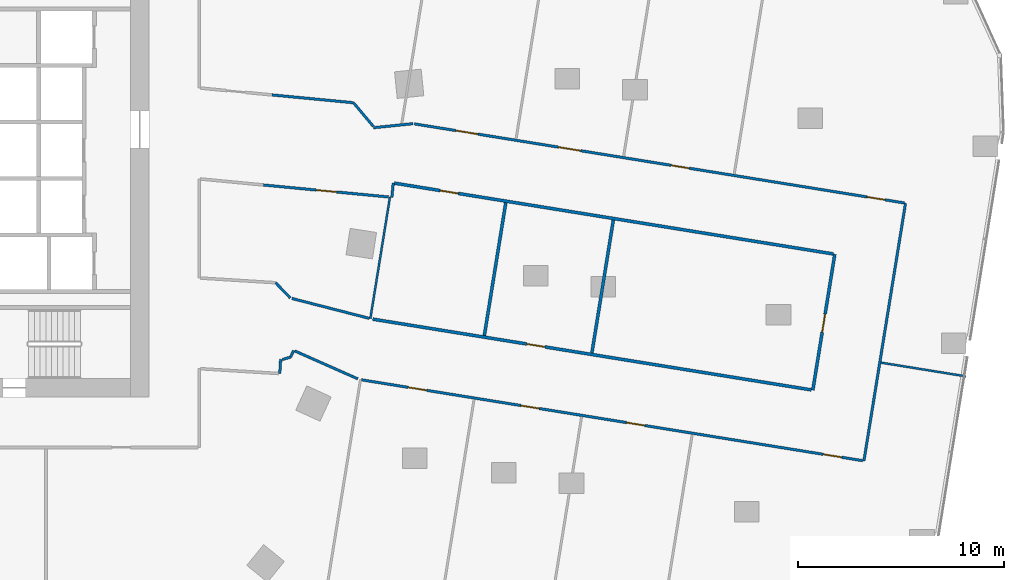
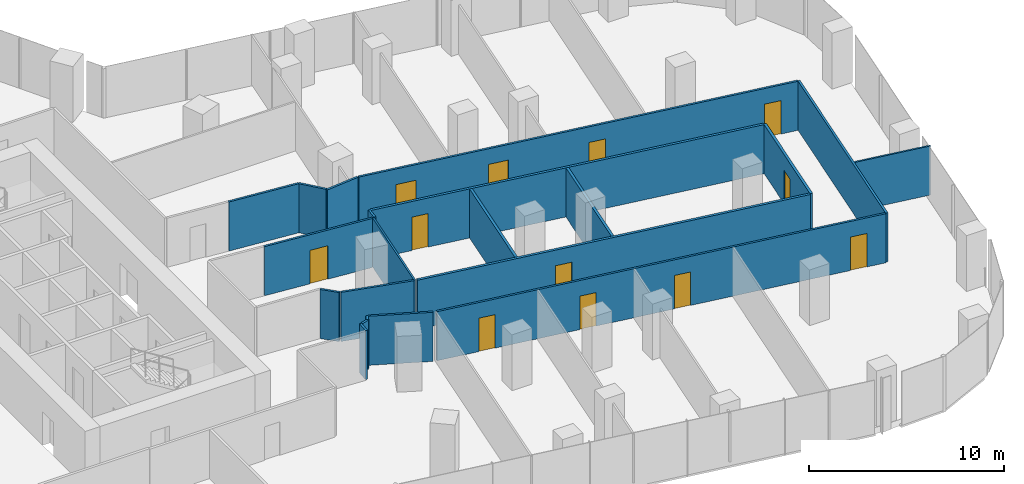
# One storey, part 28 of 34: 21 walls, 12 doors, 12 openings.
"""IFC4 building model written with IfcOpenShell, lengths in metres."""

from ifc_helpers import new_model, si_unit, direction, frame, frame_2d, origin, place, context, subcontext, project, spatial, rectangle, extrude, material, layer, layer_set, type_object, element, fill, save


model = new_model("IFC4")

# Units and contexts
model_context = context("Model", 3, precision=1e-05, world=origin(), true_north=direction((0.0, 1.0)))
body_context = subcontext(model_context, "Body", "Model", "MODEL_VIEW")
ifc_project = project(units=[si_unit("LENGTHUNIT", "METRE"), si_unit("AREAUNIT", "SQUARE_METRE"), si_unit("VOLUMEUNIT", "CUBIC_METRE"), si_unit("PLANEANGLEUNIT", "RADIAN"), si_unit("MASSUNIT", "GRAM", prefix="KILO")], contexts=[model_context])

# Site, building, storey
site_placement = place(None, origin())
site = spatial("IfcSite", under=ifc_project, at=site_placement, CompositionType="ELEMENT")
building_placement = place(site_placement, origin())
building = spatial("IfcBuilding", under=site, at=building_placement, Name="Orlundy Tower", CompositionType="ELEMENT")
storey_placement = place(building_placement, frame((0.0, 0.0, 127.199951171875)))
storey = spatial("IfcBuildingStorey", under=building, at=storey_placement, Name="L32", CompositionType="ELEMENT", Elevation=127.199951171875)

# Walls
ifc_material_1 = material(Name="Gypsum board partition")
ifc_layer_1 = layer(ifc_material_1, 0.10009765625)
ifc_layer_set_1 = layer_set([ifc_layer_1], Name="Floor partition 100")
wall_type_1 = type_object("IfcWallType", Name="Floor partition 100", PredefinedType="PARTITIONING", material=ifc_layer_set_1)
wall_1_placement = place(storey_placement, frame((54.614990234375, -10.33203125, 0.0), z_axis=(0.0, 0.0, 1.0), x_axis=(0.987227218169, -0.15931861067, 0.0)))
element("IfcWall", 1, at=wall_1_placement, inside=storey, type_object=wall_type_1, Name="wall-int-L32-021", PredefinedType="PARTITIONING", context=body_context, shape_type="SweptSolid", body=[
    extrude(rectangle(XDim=4.1865234375, YDim=0.10009765625, at=frame_2d((2.09326171875, 0.0))), origin(), (0.0, 0.0, 1.0), 3.080078125),
])
wall_2_placement = place(storey_placement, frame((29.76904296875, -8.18994140625, 0.0), z_axis=(0.0, 0.0, 1.0), x_axis=(0.15928627412, 0.987232436094, 0.0)))
element("IfcWall", 2, at=wall_2_placement, inside=storey, type_object=wall_type_1, Name="wall-int-L32-067", PredefinedType="PARTITIONING", context=body_context, shape_type="SweptSolid", body=[
    extrude(rectangle(XDim=5.98828125, YDim=0.10009765625, at=frame_2d((2.994140625, 0.0))), origin(), (0.0, 0.0, 1.0), 3.080078125),
])
ifc_material_2 = material(Name="Gypsum board partition, double layer")
ifc_layer_2 = layer(ifc_material_2, 0.125)
ifc_layer_set_2 = layer_set([ifc_layer_2], Name="Floor partition 125")
wall_type_2 = type_object("IfcWallType", Name="Floor partition 125", PredefinedType="PARTITIONING", material=ifc_layer_set_2)
wall_3_placement = place(storey_placement, frame((29.91796875, 1.157958984375, 0.0), z_axis=(0.0, 0.0, 1.0), x_axis=(-0.643093382336, 0.765787765374, 0.0)))
element("IfcWall", 3, at=wall_3_placement, inside=storey, type_object=wall_type_2, Name="wall-int-L32-002", PredefinedType="PARTITIONING", context=body_context, shape_type="SweptSolid", body=[
    extrude(rectangle(XDim=1.50830078125, YDim=0.125, at=frame_2d((0.754150390625, 0.0))), origin(), (0.0, 0.0, 1.0), 3.080078125),
])
wall_4_placement = place(storey_placement, frame((26.093994140625, -9.762939453125, 0.0), z_axis=(0.0, 0.0, 1.0), x_axis=(0.914414080566, -0.404780050475, 0.0)))
element("IfcWall", 4, at=wall_4_placement, inside=storey, type_object=wall_type_2, Name="wall-int-L32-004", PredefinedType="PARTITIONING", context=body_context, shape_type="SweptSolid", body=[
    extrude(rectangle(XDim=3.352783203125, YDim=0.125, at=frame_2d((1.67626953125, 0.0))), origin(), (0.0, 0.0, 1.0), 3.080078125),
])
wall_5_placement = place(storey_placement, frame((25.47900390625, -10.18603515625, 0.0), z_axis=(0.0, 0.0, 1.0), x_axis=(0.955681025049, 0.294404107243, 0.0)))
element("IfcWall", 5, at=wall_5_placement, inside=storey, type_object=wall_type_2, Name="wall-int-L32-017", PredefinedType="PARTITIONING", context=body_context, shape_type="SweptSolid", body=[
    extrude(rectangle(XDim=0.43115234375, YDim=0.125, at=frame_2d((0.215576171875, 0.0))), origin(), (0.0, 0.0, 1.0), 3.080078125),
])
wall_6_placement = place(storey_placement, frame((25.949951171875, -7.2080078125, 0.0), z_axis=(0.0, 0.0, 1.0), x_axis=(0.968475214554, -0.249109933149, 0.0)))
element("IfcWall", 6, at=wall_6_placement, inside=storey, type_object=wall_type_2, Name="wall-int-L32-018", PredefinedType="PARTITIONING", context=body_context, shape_type="SweptSolid", body=[
    extrude(rectangle(XDim=3.893798828125, YDim=0.125, at=frame_2d((1.94677734375, 0.0))), origin(), (0.0, 0.0, 1.0), 3.080078125),
])

# Wall, openings, doors
wall_7_placement = place(storey_placement, frame((53.718994140625, -15.10009765625, 0.0), z_axis=(0.0, 0.0, 1.0), x_axis=(-0.987235605508, 0.159266629328, 0.0)))
wall_7 = element("IfcWall", 7, at=wall_7_placement, inside=storey, type_object=wall_type_2, Name="wall-int-L32-019", PredefinedType="PARTITIONING", context=body_context, shape_type="SweptSolid", body=[
    extrude(rectangle(XDim=24.695068359375, YDim=0.125, at=frame_2d((12.34765625, 0.0))), origin(), (0.0, 0.0, 1.0), 3.080078125),
])
opening_1_placement = place(wall_7_placement, frame((10.73876953125, 0.0, 0.0)))
opening_1 = element("IfcOpeningElement", 8, at=opening_1_placement, cuts=wall_7, Name="Opening 25104", PredefinedType="OPENING", context=body_context, shape_type="SweptSolid", body=[
    extrude(rectangle(XDim=0.89990234375, YDim=2.10009765625, at=frame_2d((0.449951171875, 1.050048828125))), frame((0.0, 0.072509765625, 0.0), z_axis=(0.0, -1.0, 0.0), x_axis=(1.0, 0.0, 0.0)), (0.0, 0.0, 1.0), 0.14501953125),
])
opening_2_placement = place(wall_7_placement, frame((1.037841796875, 0.0, 0.0)))
opening_2 = element("IfcOpeningElement", 9, at=opening_2_placement, cuts=wall_7, Name="Opening 25107", PredefinedType="OPENING", context=body_context, shape_type="SweptSolid", body=[
    extrude(rectangle(XDim=0.89990234375, YDim=2.10009765625, at=frame_2d((0.449951171875, 1.050048828125))), frame((0.0, 0.072509765625, 0.0), z_axis=(0.0, -1.0, 0.0), x_axis=(1.0, 0.0, 0.0)), (0.0, 0.0, 1.0), 0.14501953125),
])
opening_3_placement = place(wall_7_placement, frame((21.488037109375, 0.0, 0.0)))
opening_3 = element("IfcOpeningElement", 10, at=opening_3_placement, cuts=wall_7, Name="Opening 25109", PredefinedType="OPENING", context=body_context, shape_type="SweptSolid", body=[
    extrude(rectangle(XDim=0.89990234375, YDim=2.10009765625, at=frame_2d((0.449951171875, 1.050048828125))), frame((0.0, 0.072509765625, 0.0), z_axis=(0.0, -1.0, 0.0), x_axis=(1.0, 0.0, 0.0)), (0.0, 0.0, 1.0), 0.14501953125),
])
opening_4_placement = place(wall_7_placement, frame((15.9384765625, 0.0, 0.0)))
opening_4 = element("IfcOpeningElement", 11, at=opening_4_placement, cuts=wall_7, Name="Opening 25110", PredefinedType="OPENING", context=body_context, shape_type="SweptSolid", body=[
    extrude(rectangle(XDim=0.89990234375, YDim=2.10009765625, at=frame_2d((0.449951171875, 1.050048828125))), frame((0.0, 0.072509765625, 0.0), z_axis=(0.0, -1.0, 0.0), x_axis=(1.0, 0.0, 0.0)), (0.0, 0.0, 1.0), 0.14501953125),
])
ifc_material_3 = material(Name="Timber door leaf", Category="wood")
door_type_1 = type_object("IfcDoorType", Name="Floor door single 900 FD30S", OperationType="NOTDEFINED", PredefinedType="DOOR", material=ifc_material_3)
door_1_placement = place(opening_1_placement, origin())
door_1 = element("IfcDoor", 12, at=door_1_placement, inside=storey, type_object=door_type_1, Name="Door 25104", OperationType="SINGLE_SWING_LEFT", OverallHeight=2.10009765625, OverallWidth=0.89990234375, PredefinedType="DOOR", context=body_context, shape_type="SweptSolid", body=[
    extrude(rectangle(XDim=0.89990234375, YDim=2.10009765625, at=frame_2d((0.449951171875, 1.050048828125))), frame((0.0, 0.02490234375, 0.0), z_axis=(0.0, -1.0, 0.0), x_axis=(1.0, 0.0, 0.0)), (0.0, 0.0, 1.0), 0.050048828125),
])
fill(opening_1, door_1)
door_2_placement = place(opening_2_placement, origin())
door_2 = element("IfcDoor", 13, at=door_2_placement, inside=storey, type_object=door_type_1, Name="Door 25107", OperationType="SINGLE_SWING_LEFT", OverallHeight=2.10009765625, OverallWidth=0.89990234375, PredefinedType="DOOR", context=body_context, shape_type="SweptSolid", body=[
    extrude(rectangle(XDim=0.89990234375, YDim=2.10009765625, at=frame_2d((0.449951171875, 1.050048828125))), frame((0.0, 0.02490234375, 0.0), z_axis=(0.0, -1.0, 0.0), x_axis=(1.0, 0.0, 0.0)), (0.0, 0.0, 1.0), 0.050048828125),
])
fill(opening_2, door_2)
door_3_placement = place(opening_3_placement, origin())
door_3 = element("IfcDoor", 14, at=door_3_placement, inside=storey, type_object=door_type_1, Name="Door 25109", OperationType="SINGLE_SWING_RIGHT", OverallHeight=2.10009765625, OverallWidth=0.89990234375, PredefinedType="DOOR", context=body_context, shape_type="SweptSolid", body=[
    extrude(rectangle(XDim=0.89990234375, YDim=2.10009765625, at=frame_2d((0.449951171875, 1.050048828125))), frame((0.0, 0.02490234375, 0.0), z_axis=(0.0, -1.0, 0.0), x_axis=(1.0, 0.0, 0.0)), (0.0, 0.0, 1.0), 0.050048828125),
])
fill(opening_3, door_3)
door_4_placement = place(opening_4_placement, origin())
door_4 = element("IfcDoor", 15, at=door_4_placement, inside=storey, type_object=door_type_1, Name="Door 25110", OperationType="SINGLE_SWING_RIGHT", OverallHeight=2.10009765625, OverallWidth=0.89990234375, PredefinedType="DOOR", context=body_context, shape_type="SweptSolid", body=[
    extrude(rectangle(XDim=0.89990234375, YDim=2.10009765625, at=frame_2d((0.449951171875, 1.050048828125))), frame((0.0, 0.02490234375, 0.0), z_axis=(0.0, -1.0, 0.0), x_axis=(1.0, 0.0, 0.0)), (0.0, 0.0, 1.0), 0.050048828125),
])
fill(opening_4, door_4)

wall_8_placement = place(storey_placement, frame((31.908935546875, 1.283935546875, 0.0), z_axis=(0.0, 0.0, 1.0), x_axis=(0.987227629246, -0.159316063386, 0.0)))
wall_8 = element("IfcWall", 16, at=wall_8_placement, inside=storey, type_object=wall_type_2, Name="wall-int-L32-023", PredefinedType="PARTITIONING", context=body_context, shape_type="SweptSolid", body=[
    extrude(rectangle(XDim=24.140380859375, YDim=0.125, at=frame_2d((12.0703125, 0.0))), origin(), (0.0, 0.0, 1.0), 3.080078125),
])
opening_5_placement = place(wall_8_placement, frame((2.03759765625, 0.0, 0.0)))
opening_5 = element("IfcOpeningElement", 17, at=opening_5_placement, cuts=wall_8, Name="Opening 25100", PredefinedType="OPENING", context=body_context, shape_type="SweptSolid", body=[
    extrude(rectangle(XDim=1.10009765625, YDim=2.10009765625, at=frame_2d((0.550048828125, 1.050048828125))), frame((0.0, 0.072509765625, 0.0), z_axis=(0.0, -1.0, 0.0), x_axis=(1.0, 0.0, 0.0)), (0.0, 0.0, 1.0), 0.14501953125),
])
opening_6_placement = place(wall_8_placement, frame((7.103271484375, 0.0, 0.0)))
opening_6 = element("IfcOpeningElement", 18, at=opening_6_placement, cuts=wall_8, Name="Opening 25101", PredefinedType="OPENING", context=body_context, shape_type="SweptSolid", body=[
    extrude(rectangle(XDim=1.10009765625, YDim=2.10009765625, at=frame_2d((0.550048828125, 1.050048828125))), frame((0.0, 0.072509765625, 0.0), z_axis=(0.0, -1.0, 0.0), x_axis=(1.0, 0.0, 0.0)), (0.0, 0.0, 1.0), 0.14501953125),
])
opening_7_placement = place(wall_8_placement, frame((12.65283203125, 0.0, 0.0)))
opening_7 = element("IfcOpeningElement", 19, at=opening_7_placement, cuts=wall_8, Name="Opening 25105", PredefinedType="OPENING", context=body_context, shape_type="SweptSolid", body=[
    extrude(rectangle(XDim=0.89990234375, YDim=2.10009765625, at=frame_2d((0.449951171875, 1.050048828125))), frame((0.0, 0.072509765625, 0.0), z_axis=(0.0, -1.0, 0.0), x_axis=(1.0, 0.0, 0.0)), (0.0, 0.0, 1.0), 0.14501953125),
])
opening_8_placement = place(wall_8_placement, frame((22.302978515625, 0.0, 0.0)))
opening_8 = element("IfcOpeningElement", 20, at=opening_8_placement, cuts=wall_8, Name="Opening 25108", PredefinedType="OPENING", context=body_context, shape_type="SweptSolid", body=[
    extrude(rectangle(XDim=0.89990234375, YDim=2.10009765625, at=frame_2d((0.449951171875, 1.050048828125))), frame((0.0, 0.072509765625, 0.0), z_axis=(0.0, -1.0, 0.0), x_axis=(1.0, 0.0, 0.0)), (0.0, 0.0, 1.0), 0.14501953125),
])
door_5_placement = place(opening_7_placement, origin())
door_5 = element("IfcDoor", 21, at=door_5_placement, inside=storey, type_object=door_type_1, Name="Door 25105", OperationType="SINGLE_SWING_RIGHT", OverallHeight=2.10009765625, OverallWidth=0.89990234375, PredefinedType="DOOR", context=body_context, shape_type="SweptSolid", body=[
    extrude(rectangle(XDim=0.89990234375, YDim=2.10009765625, at=frame_2d((0.449951171875, 1.050048828125))), frame((0.0, 0.02490234375, 0.0), z_axis=(0.0, -1.0, 0.0), x_axis=(1.0, 0.0, 0.0)), (0.0, 0.0, 1.0), 0.050048828125),
])
fill(opening_7, door_5)
door_6_placement = place(opening_8_placement, origin())
door_6 = element("IfcDoor", 22, at=door_6_placement, inside=storey, type_object=door_type_1, Name="Door 25108", OperationType="SINGLE_SWING_RIGHT", OverallHeight=2.10009765625, OverallWidth=0.89990234375, PredefinedType="DOOR", context=body_context, shape_type="SweptSolid", body=[
    extrude(rectangle(XDim=0.89990234375, YDim=2.10009765625, at=frame_2d((0.449951171875, 1.050048828125))), frame((0.0, 0.02490234375, 0.0), z_axis=(0.0, -1.0, 0.0), x_axis=(1.0, 0.0, 0.0)), (0.0, 0.0, 1.0), 0.050048828125),
])
fill(opening_8, door_6)
ifc_material_4 = material(Name="Timber door leaf", Category="wood")
door_type_2 = type_object("IfcDoorType", Name="Floor door xwide 1100 FD30S", OperationType="NOTDEFINED", PredefinedType="DOOR", material=ifc_material_4)
door_7_placement = place(opening_5_placement, origin())
door_7 = element("IfcDoor", 23, at=door_7_placement, inside=storey, type_object=door_type_2, Name="Door 25100", OperationType="SINGLE_SWING_LEFT", OverallHeight=2.10009765625, OverallWidth=1.10009765625, PredefinedType="DOOR", context=body_context, shape_type="SweptSolid", body=[
    extrude(rectangle(XDim=1.10009765625, YDim=2.10009765625, at=frame_2d((0.550048828125, 1.050048828125))), frame((0.0, 0.02490234375, 0.0), z_axis=(0.0, -1.0, 0.0), x_axis=(1.0, 0.0, 0.0)), (0.0, 0.0, 1.0), 0.050048828125),
])
fill(opening_5, door_7)
door_8_placement = place(opening_6_placement, origin())
door_8 = element("IfcDoor", 24, at=door_8_placement, inside=storey, type_object=door_type_2, Name="Door 25101", OperationType="SINGLE_SWING_LEFT", OverallHeight=2.10009765625, OverallWidth=1.10009765625, PredefinedType="DOOR", context=body_context, shape_type="SweptSolid", body=[
    extrude(rectangle(XDim=1.10009765625, YDim=2.10009765625, at=frame_2d((0.550048828125, 1.050048828125))), frame((0.0, 0.02490234375, 0.0), z_axis=(0.0, -1.0, 0.0), x_axis=(1.0, 0.0, 0.0)), (0.0, 0.0, 1.0), 0.050048828125),
])
fill(opening_6, door_8)

# Wall, opening, door
wall_9_placement = place(storey_placement, frame((30.660888671875, -2.27197265625, 0.0), z_axis=(0.0, 0.0, 1.0), x_axis=(-0.99545016826, 0.095283589939, 0.0)))
wall_9 = element("IfcWall", 25, at=wall_9_placement, inside=storey, type_object=wall_type_2, Name="wall-int-L32-024", PredefinedType="PARTITIONING", context=body_context, shape_type="SweptSolid", body=[
    extrude(rectangle(XDim=6.11865234375, YDim=0.125, at=frame_2d((3.059326171875, 0.0))), origin(), (0.0, 0.0, 1.0), 3.080078125),
])
opening_9_placement = place(wall_9_placement, frame((2.53759765625, 0.0, 0.0)))
opening_9 = element("IfcOpeningElement", 26, at=opening_9_placement, cuts=wall_9, Name="Opening 25126", PredefinedType="OPENING", context=body_context, shape_type="SweptSolid", body=[
    extrude(rectangle(XDim=1.0, YDim=2.10009765625, at=frame_2d((0.5, 1.050048828125))), frame((0.0, 0.072509765625, 0.0), z_axis=(0.0, -1.0, 0.0), x_axis=(1.0, 0.0, 0.0)), (0.0, 0.0, 1.0), 0.14501953125),
])
ifc_material_5 = material(Name="Timber door leaf", Category="wood")
door_type_3 = type_object("IfcDoorType", Name="Floor door wide 1000 FD30S", OperationType="NOTDEFINED", PredefinedType="DOOR", material=ifc_material_5)
door_9_placement = place(opening_9_placement, origin())
door_9 = element("IfcDoor", 27, at=door_9_placement, inside=storey, type_object=door_type_3, Name="Door 25126", OperationType="SINGLE_SWING_LEFT", OverallHeight=2.10009765625, OverallWidth=1.0, PredefinedType="DOOR", context=body_context, shape_type="SweptSolid", body=[
    extrude(rectangle(XDim=1.0, YDim=2.10009765625, at=frame_2d((0.5, 1.050048828125))), frame((0.0, 0.02490234375, 0.0), z_axis=(0.0, -1.0, 0.0), x_axis=(1.0, 0.0, 0.0)), (0.0, 0.0, 1.0), 0.050048828125),
])
fill(opening_9, door_9)

# Walls
wall_10_placement = place(storey_placement, frame((24.989013671875, 2.69189453125, 0.0), z_axis=(0.0, 0.0, 1.0), x_axis=(0.995451221245, -0.095272588516, 0.0)))
element("IfcWall", 28, at=wall_10_placement, inside=storey, type_object=wall_type_2, Name="wall-int-L32-026", PredefinedType="PARTITIONING", context=body_context, shape_type="SweptSolid", body=[
    extrude(rectangle(XDim=3.97705078125, YDim=0.125, at=frame_2d((1.988525390625, 0.0))), origin(), (0.0, 0.0, 1.0), 3.080078125),
])
wall_11_placement = place(storey_placement, frame((31.846923828125, 1.2939453125, 0.0), z_axis=(0.0, 0.0, 1.0), x_axis=(-0.9947784907, -0.102057603537, 0.0)))
element("IfcWall", 29, at=wall_11_placement, inside=storey, type_object=wall_type_2, Name="wall-int-L32-046", PredefinedType="PARTITIONING", context=body_context, shape_type="SweptSolid", body=[
    extrude(rectangle(XDim=1.93994140625, YDim=0.125, at=frame_2d((0.969970703125, 0.0))), origin(), (0.0, 0.0, 1.0), 3.080078125),
])
wall_12_placement = place(storey_placement, frame((25.89111328125, -10.05908203125, 0.0), z_axis=(0.0, 0.0, 1.0), x_axis=(0.413959403351, 0.910295343489, 0.0)))
element("IfcWall", 30, at=wall_12_placement, inside=storey, type_object=wall_type_2, Name="wall-int-L32-049", PredefinedType="PARTITIONING", context=body_context, shape_type="SweptSolid", body=[
    extrude(rectangle(XDim=0.352783203125, YDim=0.125, at=frame_2d((0.17626953125, 0.0))), origin(), (0.0, 0.0, 1.0), 3.080078125),
])
wall_13_placement = place(storey_placement, frame((53.780029296875, -15.111083984375, 0.0), z_axis=(0.0, 0.0, 1.0), x_axis=(0.159347260632, 0.987222594215, 0.0)))
element("IfcWall", 31, at=wall_13_placement, inside=storey, type_object=wall_type_2, Name="wall-int-L32-056", PredefinedType="PARTITIONING", context=body_context, shape_type="SweptSolid", body=[
    extrude(rectangle(XDim=12.701416015625, YDim=0.125, at=frame_2d((6.3505859375, 0.0))), origin(), (0.0, 0.0, 1.0), 3.080078125),
])
wall_14_placement = place(storey_placement, frame((30.81689453125, -2.287109375, 0.0), z_axis=(0.0, 0.0, 1.0), x_axis=(0.094627831228, 0.995512718933, 0.0)))
element("IfcWall", 32, at=wall_14_placement, inside=storey, type_object=wall_type_2, Name="wall-int-L32-069", PredefinedType="PARTITIONING", context=body_context, shape_type="SweptSolid", body=[
    extrude(rectangle(XDim=0.69921875, YDim=0.125, at=frame_2d((0.349609375, 0.0))), origin(), (0.0, 0.0, 1.0), 3.080078125),
])
wall_15_placement = place(storey_placement, frame((25.876953125, -7.18896484375, 0.0), z_axis=(0.0, 0.0, 1.0), x_axis=(-0.693047408392, 0.72089200975, 0.0)))
element("IfcWall", 33, at=wall_15_placement, inside=storey, type_object=wall_type_2, Name="wall-int-L32-070", PredefinedType="PARTITIONING", context=body_context, shape_type="SweptSolid", body=[
    extrude(rectangle(XDim=1.03466796875, YDim=0.125, at=frame_2d((0.517333984375, 0.0))), origin(), (0.0, 0.0, 1.0), 3.080078125),
])
wall_16_placement = place(storey_placement, frame((25.363037109375, -10.864990234375, 0.0), z_axis=(0.0, 0.0, 1.0), x_axis=(0.061443671654, 0.998110552601, 0.0)))
element("IfcWall", 34, at=wall_16_placement, inside=storey, type_object=wall_type_2, Name="wall-int-L32-071", PredefinedType="PARTITIONING", context=body_context, shape_type="SweptSolid", body=[
    extrude(rectangle(XDim=0.69921875, YDim=0.125, at=frame_2d((0.349609375, 0.0))), origin(), (0.0, 0.0, 1.0), 3.080078125),
])

# Wall, opening, door
ifc_material_6 = material(Name="Blockwork shaft wall", Category="masonry")
ifc_layer_3 = layer(ifc_material_6, 0.14990234375)
ifc_layer_set_3 = layer_set([ifc_layer_3], Name="Floor shaft wall 150")
wall_type_3 = type_object("IfcWallType", Name="Floor shaft wall 150", PredefinedType="PARTITIONING", material=ifc_layer_set_3)
wall_17_placement = place(storey_placement, frame((29.885009765625, -8.215087890625, 0.0), z_axis=(0.0, 0.0, 1.0), x_axis=(0.987236652076, -0.1592601419, 0.0)))
wall_17 = element("IfcWall", 35, at=wall_17_placement, inside=storey, type_object=wall_type_3, Name="wall-int-L32-020", PredefinedType="PARTITIONING", context=body_context, shape_type="SweptSolid", body=[
    extrude(rectangle(XDim=21.61181640625, YDim=0.14990234375, at=frame_2d((10.805908203125, 0.0))), origin(), (0.0, 0.0, 1.0), 3.080078125),
])
opening_10_placement = place(wall_17_placement, frame((7.587646484375, 0.0, 0.0)))
opening_10 = element("IfcOpeningElement", 36, at=opening_10_placement, cuts=wall_17, Name="Opening 25103", PredefinedType="OPENING", context=body_context, shape_type="SweptSolid", body=[
    extrude(rectangle(XDim=0.89990234375, YDim=2.10009765625, at=frame_2d((0.449951171875, 1.050048828125))), frame((0.0, 0.0849609375, 0.0), z_axis=(0.0, -1.0, 0.0), x_axis=(1.0, 0.0, 0.0)), (0.0, 0.0, 1.0), 0.169921875),
])
ifc_material_7 = material(Name="Timber door leaf", Category="wood")
door_type_4 = type_object("IfcDoorType", Name="Floor door single 900 FD60", OperationType="NOTDEFINED", PredefinedType="DOOR", material=ifc_material_7)
door_10_placement = place(opening_10_placement, origin())
door_10 = element("IfcDoor", 37, at=door_10_placement, inside=storey, type_object=door_type_4, Name="Door 25103", OperationType="SINGLE_SWING_LEFT", OverallHeight=2.10009765625, OverallWidth=0.89990234375, PredefinedType="DOOR", context=body_context, shape_type="SweptSolid", body=[
    extrude(rectangle(XDim=0.89990234375, YDim=2.10009765625, at=frame_2d((0.449951171875, 1.050048828125))), frame((0.0, 0.02490234375, 0.0), z_axis=(0.0, -1.0, 0.0), x_axis=(1.0, 0.0, 0.0)), (0.0, 0.0, 1.0), 0.050048828125),
])
fill(opening_10, door_10)

wall_18_placement = place(storey_placement, frame((52.2890625, -5.0439453125, 0.0), z_axis=(0.0, 0.0, 1.0), x_axis=(-0.987239001867, 0.159245575114, 0.0)))
wall_18 = element("IfcWall", 38, at=wall_18_placement, inside=storey, type_object=wall_type_3, Name="wall-int-L32-022", PredefinedType="PARTITIONING", context=body_context, shape_type="SweptSolid", body=[
    extrude(rectangle(XDim=21.619873046875, YDim=0.14990234375, at=frame_2d((10.81005859375, 0.0))), origin(), (0.0, 0.0, 1.0), 3.080078125),
])
opening_11_placement = place(wall_18_placement, frame((18.474609375, 0.0, 0.0)))
opening_11 = element("IfcOpeningElement", 39, at=opening_11_placement, cuts=wall_18, Name="Opening 25102", PredefinedType="OPENING", context=body_context, shape_type="SweptSolid", body=[
    extrude(rectangle(XDim=0.89990234375, YDim=2.10009765625, at=frame_2d((0.449951171875, 1.050048828125))), frame((0.0, 0.0849609375, 0.0), z_axis=(0.0, -1.0, 0.0), x_axis=(1.0, 0.0, 0.0)), (0.0, 0.0, 1.0), 0.169921875),
])
door_11_placement = place(opening_11_placement, origin())
door_11 = element("IfcDoor", 40, at=door_11_placement, inside=storey, type_object=door_type_4, Name="Door 25102", OperationType="SINGLE_SWING_RIGHT", OverallHeight=2.10009765625, OverallWidth=0.89990234375, PredefinedType="DOOR", context=body_context, shape_type="SweptSolid", body=[
    extrude(rectangle(XDim=0.89990234375, YDim=2.10009765625, at=frame_2d((0.449951171875, 1.050048828125))), frame((0.0, 0.02490234375, 0.0), z_axis=(0.0, -1.0, 0.0), x_axis=(1.0, 0.0, 0.0)), (0.0, 0.0, 1.0), 0.050048828125),
])
fill(opening_11, door_11)

wall_19_placement = place(storey_placement, frame((51.294921875, -11.669921875, 0.0), z_axis=(0.0, 0.0, 1.0), x_axis=(0.159450148398, 0.987205981635, 0.0)))
wall_19 = element("IfcWall", 41, at=wall_19_placement, inside=storey, type_object=wall_type_3, Name="wall-int-L32-057", PredefinedType="PARTITIONING", context=body_context, shape_type="SweptSolid", body=[
    extrude(rectangle(XDim=6.69873046875, YDim=0.14990234375, at=frame_2d((3.349365234375, 0.0))), origin(), (0.0, 0.0, 1.0), 3.080078125),
])
opening_12_placement = place(wall_19_placement, frame((2.85009765625, 0.0, 0.0)))
opening_12 = element("IfcOpeningElement", 42, at=opening_12_placement, cuts=wall_19, Name="Opening 25106", PredefinedType="OPENING", context=body_context, shape_type="SweptSolid", body=[
    extrude(rectangle(XDim=0.89990234375, YDim=2.10009765625, at=frame_2d((0.449951171875, 1.050048828125))), frame((0.0, 0.0849609375, 0.0), z_axis=(0.0, -1.0, 0.0), x_axis=(1.0, 0.0, 0.0)), (0.0, 0.0, 1.0), 0.169921875),
])
door_12_placement = place(opening_12_placement, origin())
door_12 = element("IfcDoor", 43, at=door_12_placement, inside=storey, type_object=door_type_4, Name="Door 25106", OperationType="SINGLE_SWING_LEFT", OverallHeight=2.10009765625, OverallWidth=0.89990234375, PredefinedType="DOOR", context=body_context, shape_type="SweptSolid", body=[
    extrude(rectangle(XDim=0.89990234375, YDim=2.10009765625, at=frame_2d((0.449951171875, 1.050048828125))), frame((0.0, 0.02490234375, 0.0), z_axis=(0.0, -1.0, 0.0), x_axis=(1.0, 0.0, 0.0)), (0.0, 0.0, 1.0), 0.050048828125),
])
fill(opening_12, door_12)

# Walls
for number, where, z_axis, x_axis, name in (
    (44, (40.547119140625, -9.85888671875, 0.0), (0.0, 0.0, 1.0), (0.159269947871, 0.987235070135, 0.0), "wall-int-L32-061"),
    (45, (35.31494140625, -9.014892578125, 0.0), (0.0, 0.0, 1.0), (0.159269947871, 0.987235070135, 0.0), "wall-int-L32-064"),
):
    element("IfcWall", number, at=place(storey_placement, frame(where, z_axis=z_axis, x_axis=x_axis)), inside=storey, type_object=wall_type_3, Name=name, PredefinedType="PARTITIONING", context=body_context, shape_type="SweptSolid", body=[
        extrude(rectangle(XDim=6.54833984375, YDim=0.14990234375, at=frame_2d((3.274169921875, 0.0))), origin(), (0.0, 0.0, 1.0), 3.080078125),
    ])

save(model, "model.ifc")
